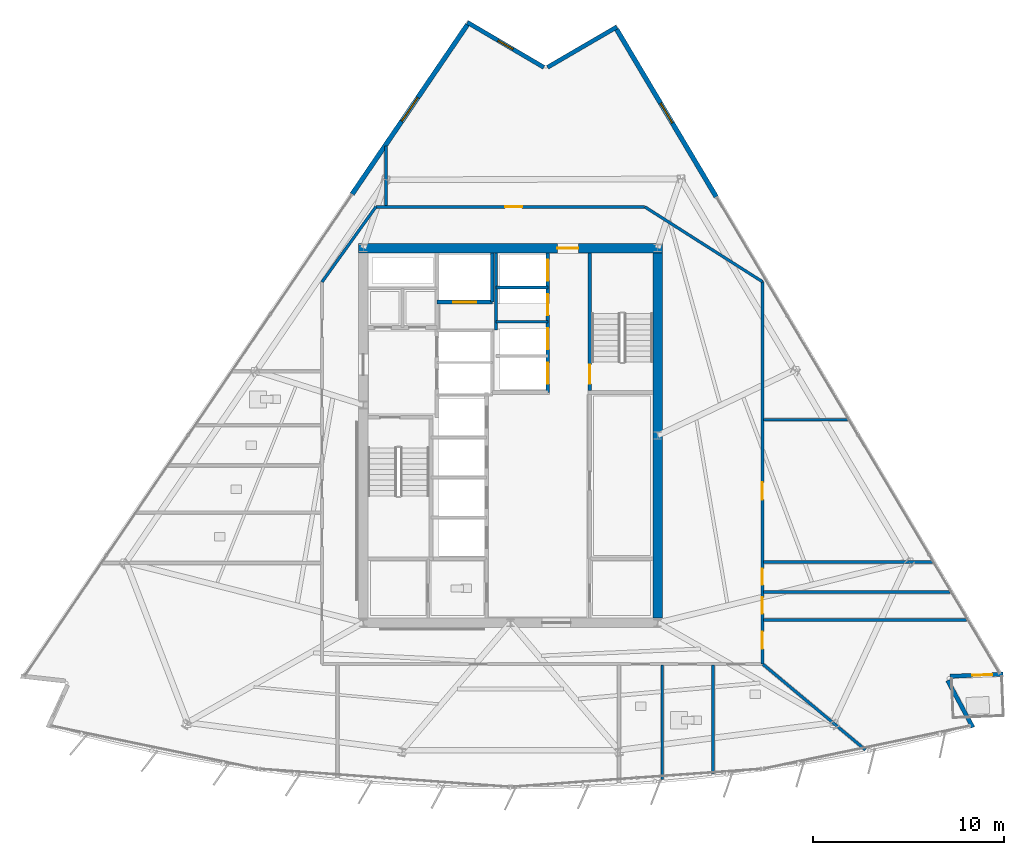
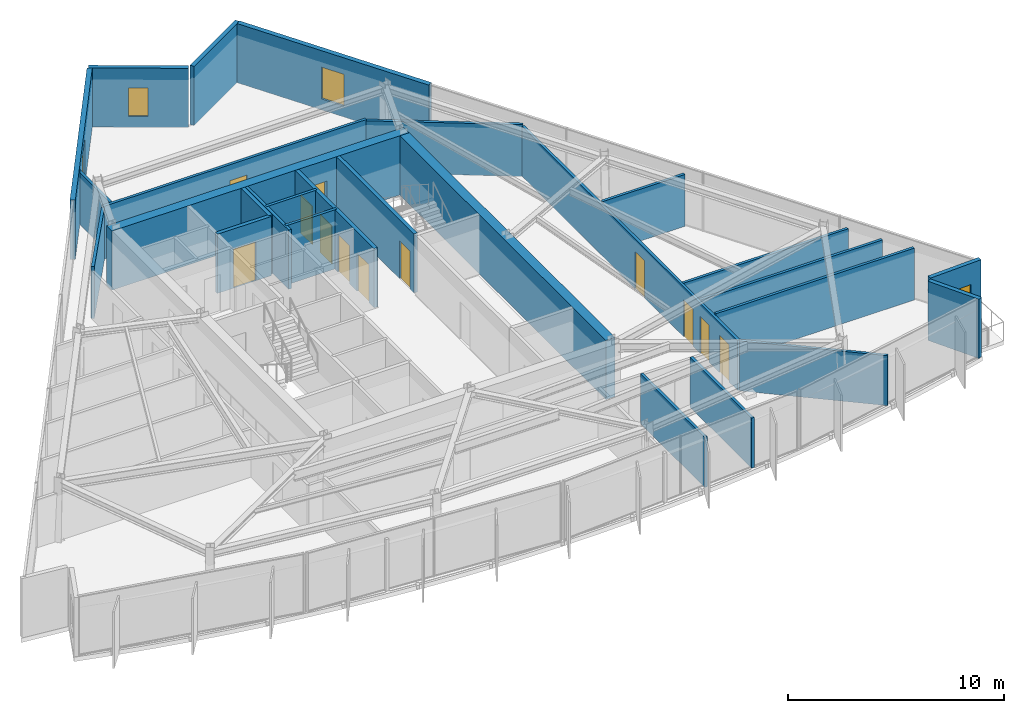
# One storey, part 9 of 15: 27 walls, 13 doors, 3 windows, 16 openings.
"""IFC4 building model written with IfcOpenShell, lengths in metres."""

from ifc_helpers import new_model, si_unit, direction, frame, frame_2d, origin, place, context, subcontext, project, spatial, rectangle, extrude, material, layer, layer_set, type_object, element, fill, save


model = new_model("IFC4")

# Units and contexts
model_context = context("Model", 3, precision=1e-05, world=origin(), true_north=direction((0.0, 1.0)))
body_context = subcontext(model_context, "Body", "Model", "MODEL_VIEW")
ifc_project = project(units=[si_unit("LENGTHUNIT", "METRE"), si_unit("AREAUNIT", "SQUARE_METRE"), si_unit("VOLUMEUNIT", "CUBIC_METRE"), si_unit("PLANEANGLEUNIT", "RADIAN"), si_unit("MASSUNIT", "GRAM", prefix="KILO")], contexts=[model_context])

# Site, building, storey
site_placement = place(None, origin())
site = spatial("IfcSite", under=ifc_project, at=site_placement, CompositionType="ELEMENT")
building_placement = place(site_placement, origin())
building = spatial("IfcBuilding", under=site, at=building_placement, Name="Savorim Split Tower", CompositionType="ELEMENT")
storey_placement = place(building_placement, frame((0.0, 0.0, 198.300048828125)))
storey = spatial("IfcBuildingStorey", under=building, at=storey_placement, Name="L52", CompositionType="ELEMENT", Elevation=198.300048828125)

# Wall, opening, door
ifc_material_1 = material(Name="Concrete C60/75", Category="concrete")
ifc_layer_1 = layer(ifc_material_1, 0.5)
ifc_layer_set_1 = layer_set([ifc_layer_1], Name="WAL-COR-SH500")
wall_type_1 = type_object("IfcWallType", Name="WAL-COR-SH500", PredefinedType="SHEAR", material=ifc_layer_set_1)
wall_1_placement = place(storey_placement, frame((7.949951171875, 10.199951171875, 0.0), z_axis=(0.0, 0.0, 1.0), x_axis=(-1.0, 0.0, 0.0)))
wall_1 = element("IfcWall", 1, at=wall_1_placement, inside=storey, type_object=wall_type_1, Name="L52 Offset Core North Shear Wall", PredefinedType="SHEAR", context=body_context, shape_type="SweptSolid", body=[
    extrude(rectangle(XDim=15.89990234375, YDim=0.5, at=frame_2d((7.949951171875, 0.0))), origin(), (0.0, 0.0, 1.0), 3.349853515625),
])
opening_1_placement = place(wall_1_placement, frame((4.39990234375, 0.0, 0.0)))
opening_1 = element("IfcOpeningElement", 2, at=opening_1_placement, cuts=wall_1, Name="Opening DI-03", PredefinedType="OPENING", context=body_context, shape_type="SweptSolid", body=[
    extrude(rectangle(XDim=1.10009765625, YDim=2.14990234375, at=frame_2d((0.550048828125, 1.074951171875))), frame((0.0, 0.260009765625, 0.0), z_axis=(0.0, -1.0, 0.0), x_axis=(1.0, 0.0, 0.0)), (0.0, 0.0, 1.0), 0.52001953125),
])
ifc_material_2 = material(Name="Timber Fire Door Leaf", Category="wood")
door_type_1 = type_object("IfcDoorType", Name="DOR-FIR-1100", OperationType="NOTDEFINED", PredefinedType="DOOR", material=ifc_material_2)
door_1_placement = place(opening_1_placement, origin())
door_1 = element("IfcDoor", 3, at=door_1_placement, inside=storey, type_object=door_type_1, Name="DOR-L52-COR-NLOB - L52 North Corridor Lobby Fire Door", OperationType="SINGLE_SWING_LEFT", OverallHeight=2.14990234375, OverallWidth=1.10009765625, PredefinedType="DOOR", context=body_context, shape_type="SweptSolid", body=[
    extrude(rectangle(XDim=1.10009765625, YDim=2.14990234375, at=frame_2d((0.550048828125, 1.074951171875))), frame((0.0, 0.02490234375, 0.0), z_axis=(0.0, -1.0, 0.0), x_axis=(1.0, 0.0, 0.0)), (0.0, 0.0, 1.0), 0.050048828125),
])
fill(opening_1, door_1)

# Walls
wall_2_placement = place(storey_placement, frame((7.699951171875, 9.949951171875, 0.0), z_axis=(0.0, 0.0, 1.0), x_axis=(0.0, -1.0, 0.0)))
element("IfcWall", 4, at=wall_2_placement, inside=storey, type_object=wall_type_1, Name="L52 Offset Core East Shear Wall", PredefinedType="SHEAR", context=body_context, shape_type="SweptSolid", body=[
    extrude(rectangle(XDim=19.099853515625, YDim=0.5, at=frame_2d((9.5498046875, 0.0))), origin(), (0.0, 0.0, 1.0), 3.349853515625),
])
ifc_material_3 = material(Name="Precast concrete C40/50", Category="concrete")
ifc_layer_2 = layer(ifc_material_3, 0.219970703125)
ifc_layer_set_2 = layer_set([ifc_layer_2], Name="WAL-EXT-CRN220")
wall_type_2 = type_object("IfcWallType", Name="WAL-EXT-CRN220", PredefinedType="SOLIDWALL", material=ifc_layer_set_2)
wall_3_placement = place(storey_placement, frame((22.86767578125, -12.414794921875, 0.0), z_axis=(0.0, 0.0, 1.0), x_axis=(0.472845900162, -0.881145138272, 0.0)))
element("IfcWall", 5, at=wall_3_placement, inside=storey, type_object=wall_type_2, Name="L52 Notched Corner Facade Wall SE1", PredefinedType="SOLIDWALL", context=body_context, shape_type="SweptSolid", body=[
    extrude(rectangle(XDim=2.78759765625, YDim=0.219970703125, at=frame_2d((1.393798828125, 0.0))), origin(), (0.0, 0.0, 1.0), 3.349853515625),
])

# Wall, opening, door
wall_4_placement = place(storey_placement, frame((25.77197265625, -12.082763671875, 0.0), z_axis=(0.0, 0.0, 1.0), x_axis=(-0.999095761456, -0.042516578425, 0.0)))
wall_4 = element("IfcWall", 6, at=wall_4_placement, inside=storey, type_object=wall_type_2, Name="L52 Notched Corner Facade Wall SE", PredefinedType="SOLIDWALL", context=body_context, shape_type="SweptSolid", body=[
    extrude(rectangle(XDim=2.784912109375, YDim=0.219970703125, at=frame_2d((1.392578125, 0.0))), origin(), (0.0, 0.0, 1.0), 3.349853515625),
])
opening_2_placement = place(wall_4_placement, frame((0.5673828125, 0.0, 0.0)))
opening_2 = element("IfcOpeningElement", 7, at=opening_2_placement, cuts=wall_4, Name="Opening DB-01", PredefinedType="OPENING", context=body_context, shape_type="SweptSolid", body=[
    extrude(rectangle(XDim=1.050048828125, YDim=2.14990234375, at=frame_2d((0.52490234375, 1.074951171875))), frame((0.0, 0.119873046875, 0.0), z_axis=(0.0, -1.0, 0.0), x_axis=(1.0, 0.0, 0.0)), (0.0, 0.0, 1.0), 0.239990234375),
])
ifc_material_4 = material(Name="Charcoal Anodised Aluminium", Category="aluminium")
door_type_2 = type_object("IfcDoorType", Name="DOR-BAL-1050", OperationType="NOTDEFINED", PredefinedType="DOOR", material=ifc_material_4)
door_2_placement = place(opening_2_placement, origin())
door_2 = element("IfcDoor", 8, at=door_2_placement, inside=storey, type_object=door_type_2, Name="DOR-L52-TBAL-SE - L52 Planted Tree Balcony Door SE", OperationType="SINGLE_SWING_LEFT", OverallHeight=2.14990234375, OverallWidth=1.050048828125, PredefinedType="DOOR", context=body_context, shape_type="SweptSolid", body=[
    extrude(rectangle(XDim=1.050048828125, YDim=2.14990234375, at=frame_2d((0.52490234375, 1.074951171875))), frame((0.0, 0.02490234375, 0.0), z_axis=(0.0, -1.0, 0.0), x_axis=(1.0, 0.0, 0.0)), (0.0, 0.0, 1.0), 0.050048828125),
])
fill(opening_2, door_2)

# Wall
wall_5_placement = place(storey_placement, frame((1.935302734375, 19.656494140625, 0.0), z_axis=(0.0, 0.0, 1.0), x_axis=(0.863987356641, 0.503513502862, 0.0)))
element("IfcWall", 9, at=wall_5_placement, inside=storey, type_object=wall_type_2, Name="L52 Notched Corner Facade Wall NE1", PredefinedType="SOLIDWALL", context=body_context, shape_type="SweptSolid", body=[
    extrude(rectangle(XDim=4.203857421875, YDim=0.219970703125, at=frame_2d((2.10205078125, 0.0))), origin(), (0.0, 0.0, 1.0), 3.349853515625),
])

# Wall, opening, window
wall_6_placement = place(storey_placement, frame((-2.25927734375, 22.01025390625, 0.0), z_axis=(0.0, 0.0, 1.0), x_axis=(0.862123324624, -0.506698503193, 0.0)))
wall_6 = element("IfcWall", 10, at=wall_6_placement, inside=storey, type_object=wall_type_2, Name="L52 Notched Corner Facade Wall N", PredefinedType="SOLIDWALL", context=body_context, shape_type="SweptSolid", body=[
    extrude(rectangle(XDim=4.644775390625, YDim=0.219970703125, at=frame_2d((2.322265625, 0.0))), origin(), (0.0, 0.0, 1.0), 3.349853515625),
])
opening_3_placement = place(wall_6_placement, frame((1.872314453125, 0.0, 0.6201171875)))
opening_3 = element("IfcOpeningElement", 11, at=opening_3_placement, cuts=wall_6, Name="Opening WN-10", PredefinedType="OPENING", context=body_context, shape_type="SweptSolid", body=[
    extrude(rectangle(XDim=0.89990234375, YDim=1.60009765625, at=frame_2d((0.449951171875, 0.800048828125))), frame((0.0, 0.119873046875, 0.0), z_axis=(0.0, -1.0, 0.0), x_axis=(1.0, 0.0, 0.0)), (0.0, 0.0, 1.0), 0.239990234375),
])
ifc_material_5 = material(Name="Low-E Operable Double Glazing", Category="glass")
window_type_1 = type_object("IfcWindowType", Name="WIN-TWR-900x1600", PartitioningType="SINGLE_PANEL", PredefinedType="WINDOW", material=ifc_material_5)
window_1_placement = place(opening_3_placement, origin())
window_1 = element("IfcWindow", 12, at=window_1_placement, inside=storey, type_object=window_type_1, Name="L52 Operable Corner Window N", OverallHeight=1.60009765625, OverallWidth=0.89990234375, PartitioningType="SINGLE_PANEL", PredefinedType="WINDOW", context=body_context, shape_type="SweptSolid", body=[
    extrude(rectangle(XDim=0.89990234375, YDim=1.60009765625, at=frame_2d((0.449951171875, 0.800048828125))), frame((0.0, 0.030029296875, 0.0), z_axis=(0.0, -1.0, 0.0), x_axis=(1.0, 0.0, 0.0)), (0.0, 0.0, 1.0), 0.06005859375),
])
fill(opening_3, window_1)

ifc_layer_3 = layer(ifc_material_3, 0.25)
ifc_layer_set_3 = layer_set([ifc_layer_3], Name="WAL-EXT-SPN250")
wall_type_3 = type_object("IfcWallType", Name="WAL-EXT-SPN250", PredefinedType="SOLIDWALL", material=ifc_layer_set_3)
wall_7_placement = place(storey_placement, frame((5.55078125, 21.646728515625, 0.0), z_axis=(0.0, 0.0, 1.0), x_axis=(0.511094988088, -0.859524236512, 0.0)))
wall_7 = element("IfcWall", 13, at=wall_7_placement, inside=storey, type_object=wall_type_3, Name="L52 East Operable Window Pier", PredefinedType="SOLIDWALL", context=body_context, shape_type="SweptSolid", body=[
    extrude(rectangle(XDim=10.199951171875, YDim=0.25, at=frame_2d((5.10009765625, 0.0))), origin(), (0.0, 0.0, 1.0), 3.349853515625),
])
opening_4_placement = place(wall_7_placement, frame((4.5, 0.0, 0.6201171875)))
opening_4 = element("IfcOpeningElement", 14, at=opening_4_placement, cuts=wall_7, Name="Opening WN-08", PredefinedType="OPENING", context=body_context, shape_type="SweptSolid", body=[
    extrude(rectangle(XDim=1.199951171875, YDim=1.800048828125, at=frame_2d((0.60009765625, 0.89990234375))), frame((0.0, 0.135009765625, 0.0), z_axis=(0.0, -1.0, 0.0), x_axis=(1.0, 0.0, 0.0)), (0.0, 0.0, 1.0), 0.27001953125),
])
window_type_2 = type_object("IfcWindowType", Name="WIN-TWR-1200x1800", PartitioningType="SINGLE_PANEL", PredefinedType="WINDOW", material=ifc_material_5)
window_2_placement = place(opening_4_placement, origin())
window_2 = element("IfcWindow", 15, at=window_2_placement, inside=storey, type_object=window_type_2, Name="L52 East Operable Ventilation Window", OverallHeight=1.800048828125, OverallWidth=1.199951171875, PartitioningType="SINGLE_PANEL", PredefinedType="WINDOW", context=body_context, shape_type="SweptSolid", body=[
    extrude(rectangle(XDim=1.199951171875, YDim=1.800048828125, at=frame_2d((0.60009765625, 0.89990234375))), frame((0.0, 0.030029296875, 0.0), z_axis=(0.0, -1.0, 0.0), x_axis=(1.0, 0.0, 0.0)), (0.0, 0.0, 1.0), 0.06005859375),
])
fill(opening_4, window_2)

wall_8_placement = place(storey_placement, frame((-8.28369140625, 13.02587890625, 0.0), z_axis=(0.0, 0.0, 1.0), x_axis=(0.562468945091, 0.826818411629, 0.0)))
wall_8 = element("IfcWall", 16, at=wall_8_placement, inside=storey, type_object=wall_type_3, Name="L52 West Operable Window Pier", PredefinedType="SOLIDWALL", context=body_context, shape_type="SweptSolid", body=[
    extrude(rectangle(XDim=10.714111328125, YDim=0.25, at=frame_2d((5.35693359375, 0.0))), origin(), (0.0, 0.0, 1.0), 3.349853515625),
])
opening_5_placement = place(wall_8_placement, frame((4.607177734375, 0.0, 0.6201171875)))
opening_5 = element("IfcOpeningElement", 17, at=opening_5_placement, cuts=wall_8, Name="Opening WN-06", PredefinedType="OPENING", context=body_context, shape_type="SweptSolid", body=[
    extrude(rectangle(XDim=1.5, YDim=2.0, at=frame_2d((0.75, 1.0))), frame((0.0, 0.135009765625, 0.0), z_axis=(0.0, -1.0, 0.0), x_axis=(1.0, 0.0, 0.0)), (0.0, 0.0, 1.0), 0.27001953125),
])
window_type_3 = type_object("IfcWindowType", Name="WIN-TWR-1500x2000", PartitioningType="SINGLE_PANEL", PredefinedType="WINDOW", material=ifc_material_5)
window_3_placement = place(opening_5_placement, origin())
window_3 = element("IfcWindow", 18, at=window_3_placement, inside=storey, type_object=window_type_3, Name="L52 West Operable Ventilation Window", OverallHeight=2.0, OverallWidth=1.5, PartitioningType="SINGLE_PANEL", PredefinedType="WINDOW", context=body_context, shape_type="SweptSolid", body=[
    extrude(rectangle(XDim=1.5, YDim=2.0, at=frame_2d((0.75, 1.0))), frame((0.0, 0.030029296875, 0.0), z_axis=(0.0, -1.0, 0.0), x_axis=(1.0, 0.0, 0.0)), (0.0, 0.0, 1.0), 0.06005859375),
])
fill(opening_5, window_3)

# Wall, opening, door
ifc_material_6 = material(Name="Concrete C50/60", Category="concrete")
ifc_layer_4 = layer(ifc_material_6, 0.199951171875)
ifc_layer_set_4 = layer_set([ifc_layer_4], Name="WAL-INT-RC200")
wall_type_4 = type_object("IfcWallType", Name="WAL-INT-RC200", PredefinedType="SOLIDWALL", material=ifc_layer_set_4)
wall_9_placement = place(storey_placement, frame((4.14990234375, 2.75, 0.0), z_axis=(0.0, 0.0, 1.0), x_axis=(0.0, 1.0, 0.0)))
wall_9 = element("IfcWall", 19, at=wall_9_placement, inside=storey, type_object=wall_type_4, Name="L52 Structural Shaft Wall W-L52-CR07", PredefinedType="SOLIDWALL", context=body_context, shape_type="SweptSolid", body=[
    extrude(rectangle(XDim=7.199951171875, YDim=0.199951171875, at=frame_2d((3.60009765625, 0.0))), origin(), (0.0, 0.0, 1.0), 3.349853515625),
])
opening_6_placement = place(wall_9_placement, frame((0.35009765625, 0.0, 0.0)))
opening_6 = element("IfcOpeningElement", 20, at=opening_6_placement, cuts=wall_9, Name="Opening DI-04", PredefinedType="OPENING", context=body_context, shape_type="SweptSolid", body=[
    extrude(rectangle(XDim=1.0, YDim=2.14990234375, at=frame_2d((0.5, 1.074951171875))), frame((0.0, 0.10986328125, 0.0), z_axis=(0.0, -1.0, 0.0), x_axis=(1.0, 0.0, 0.0)), (0.0, 0.0, 1.0), 0.219970703125),
])
door_type_3 = type_object("IfcDoorType", Name="DOR-FIR-1000", OperationType="NOTDEFINED", PredefinedType="DOOR", material=ifc_material_2)
door_3_placement = place(opening_6_placement, origin())
door_3 = element("IfcDoor", 21, at=door_3_placement, inside=storey, type_object=door_type_3, Name="DR-L52-ST2 - L52 Stair ST-2 Enclosure Door", OperationType="SINGLE_SWING_RIGHT", OverallHeight=2.14990234375, OverallWidth=1.0, PredefinedType="DOOR", context=body_context, shape_type="SweptSolid", body=[
    extrude(rectangle(XDim=1.0, YDim=2.14990234375, at=frame_2d((0.5, 1.074951171875))), frame((0.0, 0.02490234375, 0.0), z_axis=(0.0, -1.0, 0.0), x_axis=(1.0, 0.0, 0.0)), (0.0, 0.0, 1.0), 0.050048828125),
])
fill(opening_6, door_3)

wall_10_placement = place(storey_placement, frame((-3.85009765625, 7.3798828125, 0.0), z_axis=(0.0, 0.0, 1.0), x_axis=(1.0, 0.0, 0.0)))
wall_10 = element("IfcWall", 22, at=wall_10_placement, inside=storey, type_object=wall_type_4, Name="L52 Partition W-L52-SVLS", PredefinedType="SOLIDWALL", context=body_context, shape_type="SweptSolid", body=[
    extrude(rectangle(XDim=2.900146484375, YDim=0.199951171875, at=frame_2d((1.4501953125, 0.0))), origin(), (0.0, 0.0, 1.0), 3.349853515625),
])
opening_7_placement = place(wall_10_placement, frame((0.85009765625, 0.0, 0.0)))
opening_7 = element("IfcOpeningElement", 23, at=opening_7_placement, cuts=wall_10, Name="Opening LD-SV", PredefinedType="OPENING", context=body_context, shape_type="SweptSolid", body=[
    extrude(rectangle(XDim=1.199951171875, YDim=2.199951171875, at=frame_2d((0.60009765625, 1.10009765625))), frame((0.0, 0.10986328125, 0.0), z_axis=(0.0, -1.0, 0.0), x_axis=(1.0, 0.0, 0.0)), (0.0, 0.0, 1.0), 0.219970703125),
])
door_type_4 = type_object("IfcDoorType", Name="DOR-SLD-SV1200", OperationType="NOTDEFINED", PredefinedType="DOOR", material=ifc_material_4)
door_4_placement = place(opening_7_placement, origin())
door_4 = element("IfcDoor", 24, at=door_4_placement, inside=storey, type_object=door_type_4, Name="DR-L52-LD-SVL1 - L52 Service Lift SVL-1 Sliding Landing Door", OperationType="DOUBLE_DOOR_SLIDING", OverallHeight=2.199951171875, OverallWidth=1.199951171875, PredefinedType="DOOR", context=body_context, shape_type="SweptSolid", body=[
    extrude(rectangle(XDim=1.199951171875, YDim=2.199951171875, at=frame_2d((0.60009765625, 1.10009765625))), frame((0.0, 0.02490234375, 0.0), z_axis=(0.0, -1.0, 0.0), x_axis=(1.0, 0.0, 0.0)), (0.0, 0.0, 1.0), 0.050048828125),
])
fill(opening_7, door_4)

# Wall
wall_11_placement = place(storey_placement, frame((-0.949951171875, 7.3798828125, 0.0), z_axis=(0.0, 0.0, 1.0), x_axis=(0.0, 1.0, 0.0)))
element("IfcWall", 25, at=wall_11_placement, inside=storey, type_object=wall_type_4, Name="L52 Partition W-L52-SVLE", PredefinedType="SOLIDWALL", context=body_context, shape_type="SweptSolid", body=[
    extrude(rectangle(XDim=2.565185546875, YDim=0.199951171875, at=frame_2d((1.28271484375, 0.0))), origin(), (0.0, 0.0, 1.0), 3.349853515625),
])

# Wall, openings, doors
wall_12_placement = place(storey_placement, frame((1.949951171875, 2.64990234375, 0.0), z_axis=(0.0, 0.0, 1.0), x_axis=(0.0, 1.0, 0.0)))
wall_12 = element("IfcWall", 26, at=wall_12_placement, inside=storey, type_object=wall_type_4, Name="L52 Partition W-L52-B3FRONT", PredefinedType="SOLIDWALL", context=body_context, shape_type="SweptSolid", body=[
    extrude(rectangle(XDim=7.295166015625, YDim=0.199951171875, at=frame_2d((3.6474609375, 0.0))), origin(), (0.0, 0.0, 1.0), 3.349853515625),
])
opening_8_placement = place(wall_12_placement, frame((0.449951171875, 0.0, 0.0)))
opening_8 = element("IfcOpeningElement", 27, at=opening_8_placement, cuts=wall_12, Name="Opening LD-03", PredefinedType="OPENING", context=body_context, shape_type="SweptSolid", body=[
    extrude(rectangle(XDim=1.10009765625, YDim=2.14990234375, at=frame_2d((0.550048828125, 1.074951171875))), frame((0.0, 0.10986328125, 0.0), z_axis=(0.0, -1.0, 0.0), x_axis=(1.0, 0.0, 0.0)), (0.0, 0.0, 1.0), 0.219970703125),
])
opening_9_placement = place(wall_12_placement, frame((2.25, 0.0, 0.0)))
opening_9 = element("IfcOpeningElement", 28, at=opening_9_placement, cuts=wall_12, Name="Opening LD-03", PredefinedType="OPENING", context=body_context, shape_type="SweptSolid", body=[
    extrude(rectangle(XDim=1.10009765625, YDim=2.14990234375, at=frame_2d((0.550048828125, 1.074951171875))), frame((0.0, 0.10986328125, 0.0), z_axis=(0.0, -1.0, 0.0), x_axis=(1.0, 0.0, 0.0)), (0.0, 0.0, 1.0), 0.219970703125),
])
opening_10_placement = place(wall_12_placement, frame((4.050048828125, 0.0, 0.0)))
opening_10 = element("IfcOpeningElement", 29, at=opening_10_placement, cuts=wall_12, Name="Opening LD-03", PredefinedType="OPENING", context=body_context, shape_type="SweptSolid", body=[
    extrude(rectangle(XDim=1.10009765625, YDim=2.14990234375, at=frame_2d((0.550048828125, 1.074951171875))), frame((0.0, 0.10986328125, 0.0), z_axis=(0.0, -1.0, 0.0), x_axis=(1.0, 0.0, 0.0)), (0.0, 0.0, 1.0), 0.219970703125),
])
opening_11_placement = place(wall_12_placement, frame((5.85009765625, 0.0, 0.0)))
opening_11 = element("IfcOpeningElement", 30, at=opening_11_placement, cuts=wall_12, Name="Opening LD-03", PredefinedType="OPENING", context=body_context, shape_type="SweptSolid", body=[
    extrude(rectangle(XDim=1.10009765625, YDim=2.14990234375, at=frame_2d((0.550048828125, 1.074951171875))), frame((0.0, 0.10986328125, 0.0), z_axis=(0.0, -1.0, 0.0), x_axis=(1.0, 0.0, 0.0)), (0.0, 0.0, 1.0), 0.219970703125),
])
door_type_5 = type_object("IfcDoorType", Name="DOR-SLD-LDH1100", OperationType="NOTDEFINED", PredefinedType="DOOR", material=ifc_material_4)
door_5_placement = place(opening_8_placement, origin())
door_5 = element("IfcDoor", 31, at=door_5_placement, inside=storey, type_object=door_type_5, Name="DR-L52-LD-PLH1 - L52 Lift PL-H1 Sliding Landing Door", OperationType="DOUBLE_DOOR_SLIDING", OverallHeight=2.14990234375, OverallWidth=1.10009765625, PredefinedType="DOOR", context=body_context, shape_type="SweptSolid", body=[
    extrude(rectangle(XDim=1.10009765625, YDim=2.14990234375, at=frame_2d((0.550048828125, 1.074951171875))), frame((0.0, 0.02490234375, 0.0), z_axis=(0.0, -1.0, 0.0), x_axis=(1.0, 0.0, 0.0)), (0.0, 0.0, 1.0), 0.050048828125),
])
fill(opening_8, door_5)
door_6_placement = place(opening_9_placement, origin())
door_6 = element("IfcDoor", 32, at=door_6_placement, inside=storey, type_object=door_type_5, Name="DR-L52-LD-PLH2 - L52 Lift PL-H2 Sliding Landing Door", OperationType="DOUBLE_DOOR_SLIDING", OverallHeight=2.14990234375, OverallWidth=1.10009765625, PredefinedType="DOOR", context=body_context, shape_type="SweptSolid", body=[
    extrude(rectangle(XDim=1.10009765625, YDim=2.14990234375, at=frame_2d((0.550048828125, 1.074951171875))), frame((0.0, 0.02490234375, 0.0), z_axis=(0.0, -1.0, 0.0), x_axis=(1.0, 0.0, 0.0)), (0.0, 0.0, 1.0), 0.050048828125),
])
fill(opening_9, door_6)
door_7_placement = place(opening_10_placement, origin())
door_7 = element("IfcDoor", 33, at=door_7_placement, inside=storey, type_object=door_type_5, Name="DR-L52-LD-PLH3 - L52 Lift PL-H3 Sliding Landing Door", OperationType="DOUBLE_DOOR_SLIDING", OverallHeight=2.14990234375, OverallWidth=1.10009765625, PredefinedType="DOOR", context=body_context, shape_type="SweptSolid", body=[
    extrude(rectangle(XDim=1.10009765625, YDim=2.14990234375, at=frame_2d((0.550048828125, 1.074951171875))), frame((0.0, 0.02490234375, 0.0), z_axis=(0.0, -1.0, 0.0), x_axis=(1.0, 0.0, 0.0)), (0.0, 0.0, 1.0), 0.050048828125),
])
fill(opening_10, door_7)
door_8_placement = place(opening_11_placement, origin())
door_8 = element("IfcDoor", 34, at=door_8_placement, inside=storey, type_object=door_type_5, Name="DR-L52-LD-PLH4 - L52 Lift PL-H4 Sliding Landing Door", OperationType="DOUBLE_DOOR_SLIDING", OverallHeight=2.14990234375, OverallWidth=1.10009765625, PredefinedType="DOOR", context=body_context, shape_type="SweptSolid", body=[
    extrude(rectangle(XDim=1.10009765625, YDim=2.14990234375, at=frame_2d((0.550048828125, 1.074951171875))), frame((0.0, 0.02490234375, 0.0), z_axis=(0.0, -1.0, 0.0), x_axis=(1.0, 0.0, 0.0)), (0.0, 0.0, 1.0), 0.050048828125),
])
fill(opening_11, door_8)

# Walls
ifc_material_7 = material(Name="Acoustic Gypsum Partition Board")
ifc_layer_5 = layer(ifc_material_7, 0.14990234375)
ifc_layer_set_5 = layer_set([ifc_layer_5], Name="WAL-PAR-150")
wall_type_5 = type_object("IfcWallType", Name="WAL-PAR-150", PredefinedType="PARTITIONING", material=ifc_layer_set_5)
wall_13_placement = place(storey_placement, frame((-0.75, 5.919921875, 0.0), z_axis=(0.0, 0.0, 1.0), x_axis=(0.0, 1.0, 0.0)))
element("IfcWall", 35, at=wall_13_placement, inside=storey, type_object=wall_type_5, Name="L52 Partition W-L52-B3WEST", PredefinedType="PARTITIONING", context=body_context, shape_type="SweptSolid", body=[
    extrude(rectangle(XDim=4.025146484375, YDim=0.14990234375, at=frame_2d((2.0126953125, 0.0))), origin(), (0.0, 0.0, 1.0), 3.349853515625),
])
for number, where, z_axis, x_axis, name in (
    (36, (-0.75, 6.35009765625, 0.0), (0.0, 0.0, 1.0), (1.0, 0.0, 0.0), "L52 Partition W-L52-B3DIV2"),
    (37, (-0.75, 8.14990234375, 0.0), (0.0, 0.0, 1.0), (1.0, 0.0, 0.0), "L52 Partition W-L52-B3DIV3"),
):
    element("IfcWall", number, at=place(storey_placement, frame(where, z_axis=z_axis, x_axis=x_axis)), inside=storey, type_object=wall_type_5, Name=name, PredefinedType="PARTITIONING", context=body_context, shape_type="SweptSolid", body=[
        extrude(rectangle(XDim=2.699951171875, YDim=0.14990234375, at=frame_2d((1.35009765625, 0.0))), origin(), (0.0, 0.0, 1.0), 3.349853515625),
    ])
wall_14_placement = place(storey_placement, frame((-9.860107421875, 8.42578125, 0.0), z_axis=(0.0, 0.0, 1.0), x_axis=(0.582449511476, 0.812866881218, 0.0)))
element("IfcWall", 38, at=wall_14_placement, inside=storey, type_object=wall_type_5, Name="L52 Partition W-L52-COR-02", PredefinedType="PARTITIONING", context=body_context, shape_type="SweptSolid", body=[
    extrude(rectangle(XDim=4.840087890625, YDim=0.14990234375, at=frame_2d((2.419921875, 0.0))), origin(), (0.0, 0.0, 1.0), 2.93505859375),
])

# Wall, opening, door
wall_15_placement = place(storey_placement, frame((-7.041015625, 12.360107421875, 0.0), z_axis=(0.0, 0.0, 1.0), x_axis=(1.0, 0.0, 0.0)))
wall_15 = element("IfcWall", 39, at=wall_15_placement, inside=storey, type_object=wall_type_5, Name="L52 Partition W-L52-COR-03", PredefinedType="PARTITIONING", context=body_context, shape_type="SweptSolid", body=[
    extrude(rectangle(XDim=14.064208984375, YDim=0.14990234375, at=frame_2d((7.0322265625, 0.0))), origin(), (0.0, 0.0, 1.0), 3.0048828125),
])
opening_12_placement = place(wall_15_placement, frame((6.754150390625, 0.0, 0.0)))
opening_12 = element("IfcOpeningElement", 40, at=opening_12_placement, cuts=wall_15, Name="Opening DI-06", PredefinedType="OPENING", context=body_context, shape_type="SweptSolid", body=[
    extrude(rectangle(XDim=0.89990234375, YDim=2.10009765625, at=frame_2d((0.449951171875, 1.050048828125))), frame((0.0, 0.0849609375, 0.0), z_axis=(0.0, -1.0, 0.0), x_axis=(1.0, 0.0, 0.0)), (0.0, 0.0, 1.0), 0.169921875),
])
door_type_6 = type_object("IfcDoorType", Name="DOR-FIR-900", OperationType="NOTDEFINED", PredefinedType="DOOR", material=ifc_material_2)
door_9_placement = place(opening_12_placement, origin())
door_9 = element("IfcDoor", 41, at=door_9_placement, inside=storey, type_object=door_type_6, Name="DR-L52-RM13 - L52 Co-Working Commons Entry Door", OperationType="SINGLE_SWING_RIGHT", OverallHeight=2.10009765625, OverallWidth=0.89990234375, PredefinedType="DOOR", context=body_context, shape_type="SweptSolid", body=[
    extrude(rectangle(XDim=0.89990234375, YDim=2.10009765625, at=frame_2d((0.449951171875, 1.050048828125))), frame((0.0, 0.02490234375, 0.0), z_axis=(0.0, -1.0, 0.0), x_axis=(1.0, 0.0, 0.0)), (0.0, 0.0, 1.0), 0.050048828125),
])
fill(opening_12, door_9)

# Wall
wall_16_placement = place(storey_placement, frame((7.023193359375, 12.360107421875, 0.0), z_axis=(0.0, 0.0, 1.0), x_axis=(0.84376480085, -0.536713108511, 0.0)))
element("IfcWall", 42, at=wall_16_placement, inside=storey, type_object=wall_type_5, Name="L52 Partition W-L52-COR-04", PredefinedType="PARTITIONING", context=body_context, shape_type="SweptSolid", body=[
    extrude(rectangle(XDim=7.296630859375, YDim=0.14990234375, at=frame_2d((3.6484375, 0.0))), origin(), (0.0, 0.0, 1.0), 2.93505859375),
])

# Wall, openings, doors
wall_17_placement = place(storey_placement, frame((13.179931640625, 8.44384765625, 0.0), z_axis=(0.0, 0.0, 1.0), x_axis=(0.0, -1.0, 0.0)))
wall_17 = element("IfcWall", 43, at=wall_17_placement, inside=storey, type_object=wall_type_5, Name="L52 Partition W-L52-COR-05", PredefinedType="PARTITIONING", context=body_context, shape_type="SweptSolid", body=[
    extrude(rectangle(XDim=20.00390625, YDim=0.14990234375, at=frame_2d((10.001953125, 0.0))), origin(), (0.0, 0.0, 1.0), 2.824951171875),
])
opening_13_placement = place(wall_17_placement, frame((18.309326171875, 0.0, 0.0)))
opening_13 = element("IfcOpeningElement", 44, at=opening_13_placement, cuts=wall_17, Name="Opening DI-06", PredefinedType="OPENING", context=body_context, shape_type="SweptSolid", body=[
    extrude(rectangle(XDim=0.89990234375, YDim=2.10009765625, at=frame_2d((0.449951171875, 1.050048828125))), frame((0.0, 0.0849609375, 0.0), z_axis=(0.0, -1.0, 0.0), x_axis=(1.0, 0.0, 0.0)), (0.0, 0.0, 1.0), 0.169921875),
])
opening_14_placement = place(wall_17_placement, frame((16.517578125, 0.0, 0.0)))
opening_14 = element("IfcOpeningElement", 45, at=opening_14_placement, cuts=wall_17, Name="Opening DI-13", PredefinedType="OPENING", context=body_context, shape_type="SweptSolid", body=[
    extrude(rectangle(XDim=0.85009765625, YDim=2.10009765625, at=frame_2d((0.425048828125, 1.050048828125))), frame((0.0, 0.0849609375, 0.0), z_axis=(0.0, -1.0, 0.0), x_axis=(1.0, 0.0, 0.0)), (0.0, 0.0, 1.0), 0.169921875),
])
opening_15_placement = place(wall_17_placement, frame((15.005859375, 0.0, 0.0)))
opening_15 = element("IfcOpeningElement", 46, at=opening_15_placement, cuts=wall_17, Name="Opening DI-13", PredefinedType="OPENING", context=body_context, shape_type="SweptSolid", body=[
    extrude(rectangle(XDim=0.85009765625, YDim=2.10009765625, at=frame_2d((0.425048828125, 1.050048828125))), frame((0.0, 0.0849609375, 0.0), z_axis=(0.0, -1.0, 0.0), x_axis=(1.0, 0.0, 0.0)), (0.0, 0.0, 1.0), 0.169921875),
])
opening_16_placement = place(wall_17_placement, frame((10.495361328125, 0.0, 0.0)))
opening_16 = element("IfcOpeningElement", 47, at=opening_16_placement, cuts=wall_17, Name="Opening DI-06", PredefinedType="OPENING", context=body_context, shape_type="SweptSolid", body=[
    extrude(rectangle(XDim=0.89990234375, YDim=2.10009765625, at=frame_2d((0.449951171875, 1.050048828125))), frame((0.0, 0.0849609375, 0.0), z_axis=(0.0, -1.0, 0.0), x_axis=(1.0, 0.0, 0.0)), (0.0, 0.0, 1.0), 0.169921875),
])
door_type_7 = type_object("IfcDoorType", Name="DOR-FIR-850", OperationType="NOTDEFINED", PredefinedType="DOOR", material=ifc_material_2)
door_10_placement = place(opening_14_placement, origin())
door_10 = element("IfcDoor", 48, at=door_10_placement, inside=storey, type_object=door_type_7, Name="DR-L52-RM10 - L52 Co-Living Bedroom Entry Door", OperationType="SINGLE_SWING_LEFT", OverallHeight=2.10009765625, OverallWidth=0.85009765625, PredefinedType="DOOR", context=body_context, shape_type="SweptSolid", body=[
    extrude(rectangle(XDim=0.85009765625, YDim=2.10009765625, at=frame_2d((0.425048828125, 1.050048828125))), frame((0.0, 0.02490234375, 0.0), z_axis=(0.0, -1.0, 0.0), x_axis=(1.0, 0.0, 0.0)), (0.0, 0.0, 1.0), 0.050048828125),
])
fill(opening_14, door_10)
door_11_placement = place(opening_15_placement, origin())
door_11 = element("IfcDoor", 49, at=door_11_placement, inside=storey, type_object=door_type_7, Name="DR-L52-RM11 - L52 Quiet Study Room Entry Door", OperationType="SINGLE_SWING_RIGHT", OverallHeight=2.10009765625, OverallWidth=0.85009765625, PredefinedType="DOOR", context=body_context, shape_type="SweptSolid", body=[
    extrude(rectangle(XDim=0.85009765625, YDim=2.10009765625, at=frame_2d((0.425048828125, 1.050048828125))), frame((0.0, 0.02490234375, 0.0), z_axis=(0.0, -1.0, 0.0), x_axis=(1.0, 0.0, 0.0)), (0.0, 0.0, 1.0), 0.050048828125),
])
fill(opening_15, door_11)
door_12_placement = place(opening_13_placement, origin())
door_12 = element("IfcDoor", 50, at=door_12_placement, inside=storey, type_object=door_type_6, Name="DR-L52-RM09 - L52 Co-Working Commons Entry Door", OperationType="SINGLE_SWING_RIGHT", OverallHeight=2.10009765625, OverallWidth=0.89990234375, PredefinedType="DOOR", context=body_context, shape_type="SweptSolid", body=[
    extrude(rectangle(XDim=0.89990234375, YDim=2.10009765625, at=frame_2d((0.449951171875, 1.050048828125))), frame((0.0, 0.02490234375, 0.0), z_axis=(0.0, -1.0, 0.0), x_axis=(1.0, 0.0, 0.0)), (0.0, 0.0, 1.0), 0.050048828125),
])
fill(opening_13, door_12)
door_13_placement = place(opening_16_placement, origin())
door_13 = element("IfcDoor", 51, at=door_13_placement, inside=storey, type_object=door_type_6, Name="DR-L52-RM12 - L52 Maker Workshop Entry Door", OperationType="SINGLE_SWING_LEFT", OverallHeight=2.10009765625, OverallWidth=0.89990234375, PredefinedType="DOOR", context=body_context, shape_type="SweptSolid", body=[
    extrude(rectangle(XDim=0.89990234375, YDim=2.10009765625, at=frame_2d((0.449951171875, 1.050048828125))), frame((0.0, 0.02490234375, 0.0), z_axis=(0.0, -1.0, 0.0), x_axis=(1.0, 0.0, 0.0)), (0.0, 0.0, 1.0), 0.050048828125),
])
fill(opening_16, door_13)

# Walls
wall_18_placement = place(storey_placement, frame((13.2080078125, -11.568603515625, 0.0), z_axis=(0.0, 0.0, 1.0), x_axis=(0.767351890927, -0.641226228012, 0.0)))
element("IfcWall", 52, at=wall_18_placement, inside=storey, type_object=wall_type_5, Name="L52 Partition W-L52-PRAD04", PredefinedType="PARTITIONING", context=body_context, shape_type="SweptSolid", body=[
    extrude(rectangle(XDim=6.980224609375, YDim=0.14990234375, at=frame_2d((3.490234375, 0.0))), origin(), (0.0, 0.0, 1.0), 2.824951171875),
])
wall_19_placement = place(storey_placement, frame((13.239990234375, -6.2255859375, 0.0), z_axis=(0.0, 0.0, 1.0), x_axis=(1.0, 0.0, 0.0)))
element("IfcWall", 53, at=wall_19_placement, inside=storey, type_object=wall_type_5, Name="L52 Partition W-L52-PRAD05", PredefinedType="PARTITIONING", context=body_context, shape_type="SweptSolid", body=[
    extrude(rectangle(XDim=8.826171875, YDim=0.14990234375, at=frame_2d((4.4130859375, 0.0))), origin(), (0.0, 0.0, 1.0), 2.824951171875),
])
wall_20_placement = place(storey_placement, frame((-6.518798828125, 12.419921875, 0.0), z_axis=(0.0, 0.0, 1.0), x_axis=(0.0, 1.0, 0.0)))
element("IfcWall", 54, at=wall_20_placement, inside=storey, type_object=wall_type_5, Name="L52 Partition W-L52-PRAD08", PredefinedType="PARTITIONING", context=body_context, shape_type="SweptSolid", body=[
    extrude(rectangle(XDim=3.11181640625, YDim=0.14990234375, at=frame_2d((1.555908203125, 0.0))), origin(), (0.0, 0.0, 1.0), 2.93505859375),
])
wall_21_placement = place(storey_placement, frame((10.599853515625, -11.6201171875, 0.0), z_axis=(0.0, 0.0, 1.0), x_axis=(0.0, -1.0, 0.0)))
element("IfcWall", 55, at=wall_21_placement, inside=storey, type_object=wall_type_5, Name="L52 Partition W-L52-SUB02", PredefinedType="PARTITIONING", context=body_context, shape_type="SweptSolid", body=[
    extrude(rectangle(XDim=5.697021484375, YDim=0.14990234375, at=frame_2d((2.8486328125, 0.0))), origin(), (0.0, 0.0, 1.0), 2.824951171875),
])
wall_22_placement = place(storey_placement, frame((13.239990234375, -9.249267578125, 0.0), z_axis=(0.0, 0.0, 1.0), x_axis=(1.0, 0.0, 0.0)))
element("IfcWall", 56, at=wall_22_placement, inside=storey, type_object=wall_type_5, Name="L52 Partition W-L52-SUB03", PredefinedType="PARTITIONING", context=body_context, shape_type="SweptSolid", body=[
    extrude(rectangle(XDim=10.6240234375, YDim=0.14990234375, at=frame_2d((5.31201171875, 0.0))), origin(), (0.0, 0.0, 1.0), 2.93505859375),
])
wall_23_placement = place(storey_placement, frame((7.942138671875, -11.6201171875, 0.0), z_axis=(0.0, 0.0, 1.0), x_axis=(0.0, -1.0, 0.0)))
element("IfcWall", 57, at=wall_23_placement, inside=storey, type_object=wall_type_5, Name="L52 Partition W-L52-SUB06", PredefinedType="PARTITIONING", context=body_context, shape_type="SweptSolid", body=[
    extrude(rectangle(XDim=5.966796875, YDim=0.14990234375, at=frame_2d((2.9833984375, 0.0))), origin(), (0.0, 0.0, 1.0), 2.824951171875),
])
wall_24_placement = place(storey_placement, frame((13.239990234375, -7.798095703125, 0.0), z_axis=(0.0, 0.0, 1.0), x_axis=(1.0, 0.0, 0.0)))
element("IfcWall", 58, at=wall_24_placement, inside=storey, type_object=wall_type_5, Name="L52 Partition W-L52-SUB07", PredefinedType="PARTITIONING", context=body_context, shape_type="SweptSolid", body=[
    extrude(rectangle(XDim=9.76123046875, YDim=0.14990234375, at=frame_2d((4.880615234375, 0.0))), origin(), (0.0, 0.0, 1.0), 2.824951171875),
])
wall_25_placement = place(storey_placement, frame((13.239990234375, 1.222412109375, 0.0), z_axis=(0.0, 0.0, 1.0), x_axis=(1.0, 0.0, 0.0)))
element("IfcWall", 59, at=wall_25_placement, inside=storey, type_object=wall_type_5, Name="L52 Partition W-L52-SUB08", PredefinedType="PARTITIONING", context=body_context, shape_type="SweptSolid", body=[
    extrude(rectangle(XDim=4.3974609375, YDim=0.14990234375, at=frame_2d((2.19873046875, 0.0))), origin(), (0.0, 0.0, 1.0), 2.93505859375),
])

save(model, "model.ifc")
